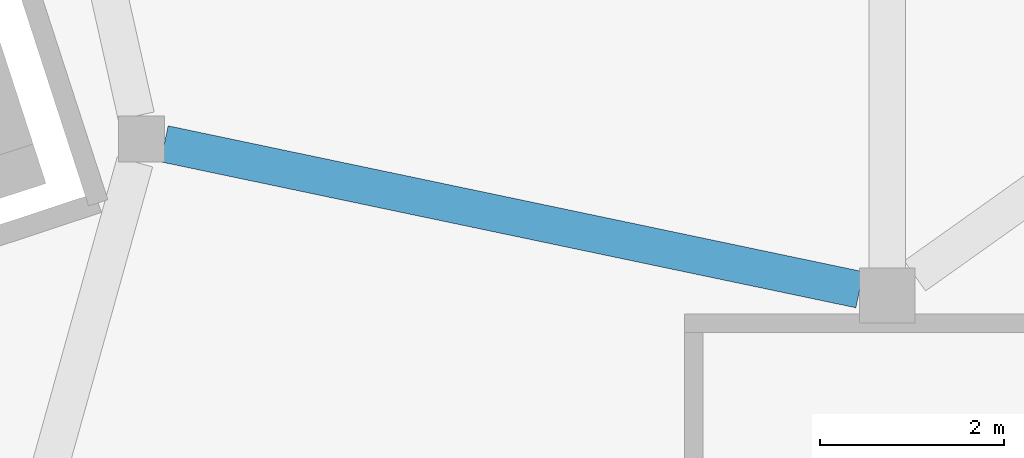
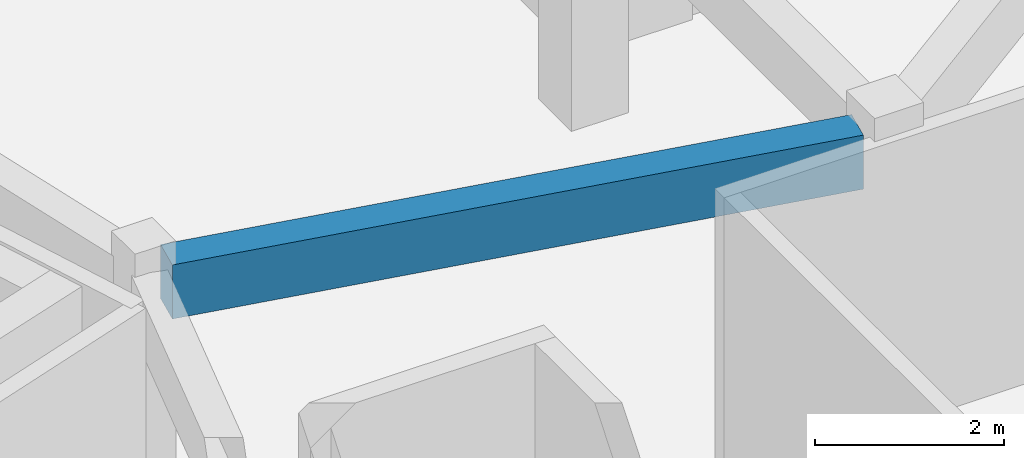
# One storey, part 8 of 66: 1 beam.
"""IFC4 building model written with IfcOpenShell, lengths in metres."""

from ifc_helpers import new_model, si_unit, direction, frame, origin, origin_2d, place, context, subcontext, project, spatial, rectangle, extrude, material, material_profile, profile_set, type_object, element, save


model = new_model("IFC4")

# Units and contexts
model_context = context("Model", 3, precision=1e-05, world=origin(), true_north=direction((0.0, 1.0)))
body_context = subcontext(model_context, "Body", "Model", "MODEL_VIEW")
ifc_project = project(units=[si_unit("LENGTHUNIT", "METRE"), si_unit("AREAUNIT", "SQUARE_METRE"), si_unit("VOLUMEUNIT", "CUBIC_METRE"), si_unit("PLANEANGLEUNIT", "RADIAN"), si_unit("MASSUNIT", "GRAM", prefix="KILO")], contexts=[model_context])

# Site, building, storey
site_placement = place(None, origin())
site = spatial("IfcSite", under=ifc_project, at=site_placement, CompositionType="ELEMENT")
building_placement = place(site_placement, origin())
building = spatial("IfcBuilding", under=site, at=building_placement, Name="Tuart Plaza Theatre", CompositionType="ELEMENT")
storey_placement = place(building_placement, frame((0.0, 0.0, 5.5)))
storey = spatial("IfcBuildingStorey", under=building, at=storey_placement, Name="L01", CompositionType="ELEMENT", Elevation=5.5)

# Beam
ifc_material = material(Name="Concrete N40 (40 MPa)", Category="concrete")
ifc_material_profile = material_profile(ifc_material, rectangle(XDim=0.39990234375, YDim=0.699951171875, at=origin_2d()), Name="BEAM 400x700 Concrete N40 (40 MPa)")
ifc_profile_set = profile_set([ifc_material_profile], Name="Concrete N40 (40 MPa)")
beam_type = type_object("IfcBeamType", Name="BEAM 400x700 Concrete N40 (40 MPa)", PredefinedType="BEAM", material=ifc_profile_set)
beam_placement = place(storey_placement, frame((79.14990234375, 51.24755859375, 3.35009765625), z_axis=(0.978674178238, -0.205418725657, 0.0), x_axis=(0.205418725657, 0.978674178238, 0.0)))
element("IfcBeam", 1, at=beam_placement, inside=storey, type_object=beam_type, Name="RB470", PredefinedType="BEAM", context=body_context, shape_type="SweptSolid", body=[
    extrude(rectangle(XDim=0.39990234375, YDim=0.699951171875, at=origin_2d()), origin(), (0.0, 0.0, 1.0), 7.714599609375),
])

save(model, "model.ifc")
